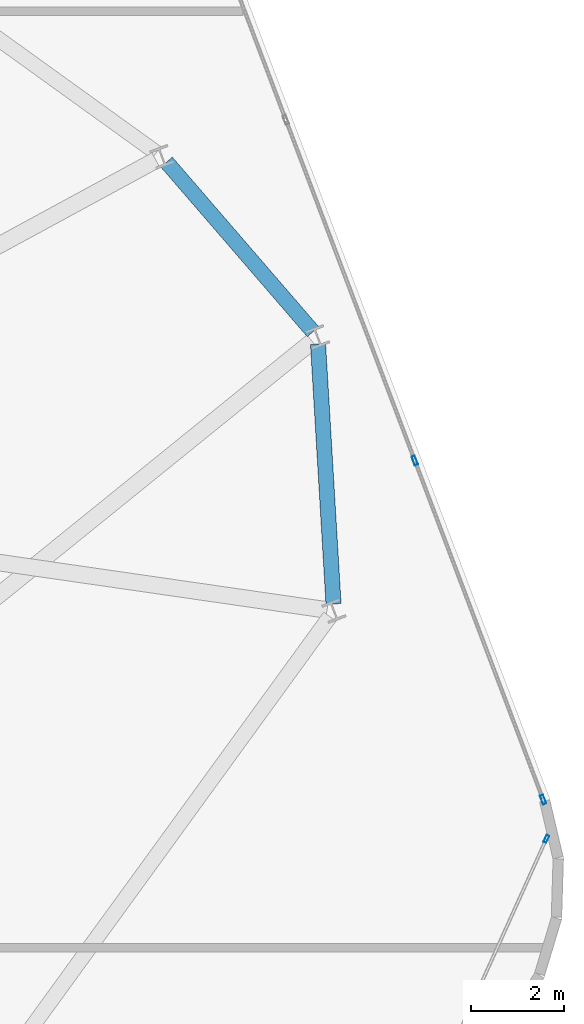
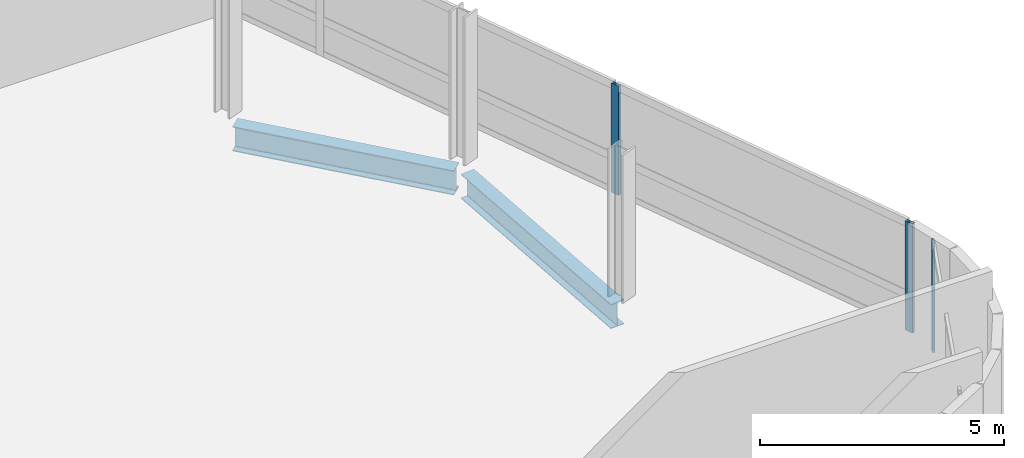
# One storey, part 15 of 24: 3 members, 2 beams, 2 elements without a shape of their own.
"""IFC4 building model written with IfcOpenShell, lengths in metres."""

from ifc_helpers import new_model, si_unit, direction, frame, origin, origin_2d, place, context, subcontext, project, spatial, hollow_rectangle, i_section, extrude, material, layer, layer_set, material_profile, profile_set, type_object, element, aggregate, save


model = new_model("IFC4")

# Units and contexts
model_context = context("Model", 3, precision=1e-05, world=origin(), true_north=direction((0.0, 1.0)))
body_context = subcontext(model_context, "Body", "Model", "MODEL_VIEW")
ifc_project = project(units=[si_unit("LENGTHUNIT", "METRE"), si_unit("AREAUNIT", "SQUARE_METRE"), si_unit("VOLUMEUNIT", "CUBIC_METRE"), si_unit("PLANEANGLEUNIT", "RADIAN"), si_unit("MASSUNIT", "GRAM", prefix="KILO")], contexts=[model_context])

# Site, building, storey
site_placement = place(None, origin())
site = spatial("IfcSite", under=ifc_project, at=site_placement, CompositionType="ELEMENT")
building_placement = place(site_placement, origin())
building = spatial("IfcBuilding", under=site, at=building_placement, Name="Varnelok Gate Tower", CompositionType="ELEMENT")
storey_placement = place(building_placement, frame((0.0, 0.0, 212.699951171875)))
storey = spatial("IfcBuildingStorey", under=building, at=storey_placement, Name="L54", CompositionType="ELEMENT", Elevation=212.699951171875)

# Beams
ifc_material_1 = material(Name="Structural Steel ASTM A992 Grade 50", Category="steel")
ifc_material_profile_1 = material_profile(ifc_material_1, i_section(OverallWidth=0.323974609375, OverallDepth=0.611083984375, WebThickness=0.0126953125, FlangeThickness=0.01904296875, FilletRadius=0.01806640625, at=origin_2d()), Name="W24X104")
ifc_profile_set_1 = profile_set([ifc_material_profile_1], Name="Structural Steel ASTM A992 Grade 50")
beam_type = type_object("IfcBeamType", Name="BM-SPN-W24X104", PredefinedType="SPANDREL", material=ifc_profile_set_1)
beam_1_placement = place(storey_placement, frame((71.046142578125, 26.60302734375, -0.555419921875), z_axis=(-0.059494461707, 0.998228635647, 0.0), x_axis=(-0.998228635647, -0.059494461707, 0.0)))
element("IfcBeam", 1, at=beam_1_placement, inside=storey, type_object=beam_type, Name="L54 Perimeter Spandrel Beam 6", PredefinedType="SPANDREL", context=body_context, shape_type="SweptSolid", body=[
    extrude(i_section(OverallWidth=0.323974609375, OverallDepth=0.611083984375, WebThickness=0.0126953125, FlangeThickness=0.01904296875, FilletRadius=0.01806640625, at=origin_2d()), origin(), (0.0, 0.0, 1.0), 5.57666015625),
])
beam_2_placement = place(storey_placement, frame((70.607421875, 32.43310546875, -0.555419921875), z_axis=(-0.653480804386, 0.756943087886, 0.0), x_axis=(-0.756943087886, -0.653480804386, 0.0)))
element("IfcBeam", 2, at=beam_2_placement, inside=storey, type_object=beam_type, Name="L54 Perimeter Spandrel Beam 7", PredefinedType="SPANDREL", context=body_context, shape_type="SweptSolid", body=[
    extrude(i_section(OverallWidth=0.323974609375, OverallDepth=0.611083984375, WebThickness=0.0126953125, FlangeThickness=0.01904296875, FilletRadius=0.01806640625, at=origin_2d()), origin(), (0.0, 0.0, 1.0), 4.799560546875),
])

# Curtain wall, member
ifc_material_2 = material(Name="Anodized Aluminum Alloy 6063-T6", Category="aluminium")
ifc_layer_1 = layer(ifc_material_2, 0.179931640625)
ifc_layer_set_1 = layer_set([ifc_layer_1], Name="Anodized Aluminum Alloy 6063-T6")
curtain_wall_type_1 = type_object("IfcCurtainWallType", Name="CW5-WINDCORNER-GLAZ", PredefinedType="USERDEFINED", material=ifc_layer_set_1)
curtain_wall_1_placement = place(storey_placement, origin())
curtain_wall_1 = element("IfcCurtainWall", 3, at=curtain_wall_1_placement, inside=storey, type_object=curtain_wall_type_1, Name="L54 Wind-Shaped Corner Curtain Wall SE", ObjectType="STRUCTURAL GLAZING", PredefinedType="USERDEFINED")
ifc_material_profile_2 = material_profile(ifc_material_2, hollow_rectangle(XDim=0.06494140625, YDim=0.159912109375, WallThickness=0.00390625, at=origin_2d()), Name="ALU160X65X4")
ifc_profile_set_2 = profile_set([ifc_material_profile_2], Name="Anodized Aluminum Alloy 6063-T6")
member_type_1 = type_object("IfcMemberType", Name="CW-MULL-160", PredefinedType="MULLION", material=ifc_profile_set_2)
member_1_placement = place(storey_placement, frame((75.60400390625, 21.574951171875, 0.0), z_axis=(0.0, 0.0, 1.0), x_axis=(-0.911662816164, 0.410939058285, 0.0)))
member_1 = element("IfcMember", 4, at=member_1_placement, type_object=member_type_1, Name="CW5 mullion 2", PredefinedType="MULLION", context=body_context, shape_type="SweptSolid", body=[
    extrude(hollow_rectangle(XDim=0.06494140625, YDim=0.159912109375, WallThickness=0.00390625, at=origin_2d()), origin(), (0.0, 0.0, 1.0), 2.72998046875),
])
aggregate(curtain_wall_1, [member_1])

# Curtain wall, members
ifc_layer_2 = layer(ifc_material_2, 0.179931640625)
ifc_layer_set_2 = layer_set([ifc_layer_2], Name="Anodized Aluminum Alloy 6063-T6")
curtain_wall_type_2 = type_object("IfcCurtainWallType", Name="CW4-RESIDENCE-VISION", PredefinedType="USERDEFINED", material=ifc_layer_set_2)
curtain_wall_2_placement = place(storey_placement, origin())
curtain_wall_2 = element("IfcCurtainWall", 5, at=curtain_wall_2_placement, inside=storey, type_object=curtain_wall_type_2, Name="L54 East End Vision Curtain Wall", ObjectType="UNITISED CURTAIN WALL", PredefinedType="USERDEFINED")
ifc_material_profile_3 = material_profile(ifc_material_2, hollow_rectangle(XDim=0.074951171875, YDim=0.199951171875, WallThickness=0.00390625, at=origin_2d()), Name="ALU200X75X4")
ifc_profile_set_3 = profile_set([ifc_material_profile_3], Name="Anodized Aluminum Alloy 6063-T6")
member_type_2 = type_object("IfcMemberType", Name="CW-MULL-200", PredefinedType="MULLION", material=ifc_profile_set_3)
member_2_placement = place(storey_placement, frame((72.78662109375, 29.675048828125, 0.0), z_axis=(0.0, 0.0, 1.0), x_axis=(0.935221557832, 0.354063042079, 0.0)))
member_2 = element("IfcMember", 6, at=member_2_placement, type_object=member_type_2, Name="CW4 mullion 4", PredefinedType="MULLION", context=body_context, shape_type="SweptSolid", body=[
    extrude(hollow_rectangle(XDim=0.074951171875, YDim=0.199951171875, WallThickness=0.00390625, at=origin_2d()), origin(), (0.0, 0.0, 1.0), 2.72998046875),
])
member_3_placement = place(storey_placement, frame((75.534912109375, 22.41552734375, 0.0), z_axis=(0.0, 0.0, 1.0), x_axis=(0.935221557832, 0.354063042079, 0.0)))
member_3 = element("IfcMember", 7, at=member_3_placement, type_object=member_type_2, Name="CW4 mullion 5", PredefinedType="MULLION", context=body_context, shape_type="SweptSolid", body=[
    extrude(hollow_rectangle(XDim=0.074951171875, YDim=0.199951171875, WallThickness=0.00390625, at=origin_2d()), origin(), (0.0, 0.0, 1.0), 2.72998046875),
])
aggregate(curtain_wall_2, [member_2, member_3])

save(model, "model.ifc")
